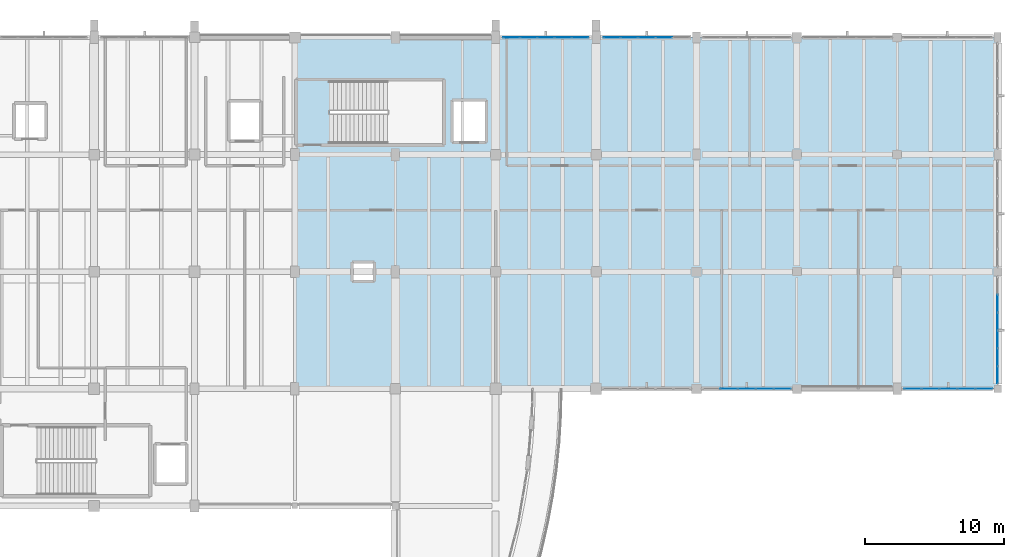
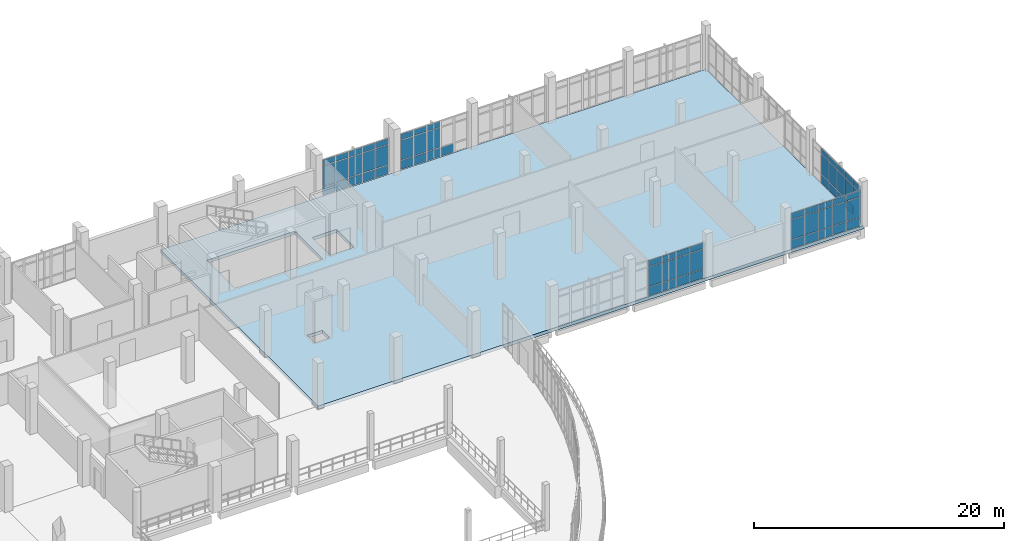
# One storey, part 97 of 116: 67 plates, 1 slab, 5 elements without a shape of their own.
"""IFC4 building model written with IfcOpenShell, lengths in metres."""

import ifcopenshell
import ifcopenshell.guid

model = None  # the IFC model being written
_history = None  # IfcOwnerHistory: only IFC2X3 demands one
_inside = {}  # id of a spatial element -> (the spatial element, [elements in it])
_under = {}  # id of a project, library or spatial element -> (it, [spatial elements below it])
_declared = {}  # id of a project -> (the project, [libraries it declares])
_typed = {}  # id of a type object -> (the type object, [elements of that type])
_made_of = {}  # id of a material, layer set ... -> (it, [elements and type objects made of it])


def new_model(schema):
    """Start an empty IFC model of exactly this schema.

    Asked for "IFC4X3", IfcOpenShell would pick the latest addendum, in which some entities
    have other attributes; the version numbers below select the first issue.
    IFC2X3 requires an IfcOwnerHistory on every rooted entity: one is made here for all.
    """
    global model, _history
    if schema == "IFC4X3":
        model = ifcopenshell.file(schema_version=(4, 3, 0, 0))
    else:
        model = ifcopenshell.file(schema=schema)
    _inside.clear()
    _under.clear()
    _declared.clear()
    _typed.clear()
    _made_of.clear()
    _history = None
    if model.schema == "IFC2X3":
        org = make("IfcOrganization", Name="unknown")
        user = make(
            "IfcPersonAndOrganization",
            ThePerson=make("IfcPerson", FamilyName="unknown"),
            TheOrganization=org,
        )
        app = make(
            "IfcApplication",
            ApplicationDeveloper=org,
            Version="unknown",
            ApplicationFullName="unknown",
            ApplicationIdentifier="unknown",
        )
        _history = make(
            "IfcOwnerHistory",
            OwningUser=user,
            OwningApplication=app,
            ChangeAction="ADDED",
            CreationDate=0,
        )
    return model


def make(cls, **values):
    """One entity of the class cls with the attributes given. An attribute that is None is left unset."""
    return model.create_entity(
        cls, **{name: value for name, value in values.items() if value is not None}
    )


def rooted(cls, **values):
    """An entity with a GlobalId (a new one), such as an element, a storey or a relation."""
    return make(cls, GlobalId=ifcopenshell.guid.new(), OwnerHistory=_history, **values)


def si_unit(unit_type, name, prefix=None):
    """IfcSIUnit, for example si_unit("LENGTHUNIT", "METRE", prefix="MILLI")."""
    return make("IfcSIUnit", UnitType=unit_type, Prefix=prefix, Name=name)


def assignment(units):
    """IfcUnitAssignment: the units of a project."""
    return None if units is None else make("IfcUnitAssignment", Units=units)


def point(xyz):
    """IfcCartesianPoint."""
    return None if xyz is None else make("IfcCartesianPoint", Coordinates=xyz)


def direction(xyz):
    """IfcDirection."""
    return None if xyz is None else make("IfcDirection", DirectionRatios=xyz)


def frame(location, z_axis=None, x_axis=None):
    """IfcAxis2Placement3D, a coordinate frame: its origin and axes. An axis left out is left unset."""
    return make(
        "IfcAxis2Placement3D",
        Location=point(location),
        Axis=direction(z_axis),
        RefDirection=direction(x_axis),
    )


def frame_2d(location, x_axis=None):
    """IfcAxis2Placement2D, a coordinate frame in the plane: its origin and x axis."""
    return make(
        "IfcAxis2Placement2D", Location=point(location), RefDirection=direction(x_axis)
    )


def origin():
    """The frame at (0, 0, 0) with its axes left unset."""
    return frame((0.0, 0.0, 0.0))


def origin_2d():
    """The frame at (0, 0) in the plane with its x axis left unset."""
    return frame_2d((0.0, 0.0))


def place(relative_to, where):
    """IfcLocalPlacement: puts the frame where relative to a parent placement (None: the world)."""
    return make(
        "IfcLocalPlacement", PlacementRelTo=relative_to, RelativePlacement=where
    )


def context(
    kind, dimensions, precision=None, world=None, true_north=None, identifier=None
):
    """IfcGeometricRepresentationContext, for example the 3D "Model" context."""
    return make(
        "IfcGeometricRepresentationContext",
        ContextIdentifier=identifier,
        ContextType=kind,
        CoordinateSpaceDimension=dimensions,
        Precision=precision,
        WorldCoordinateSystem=world,
        TrueNorth=true_north,
    )


def subcontext(parent, identifier, kind, view, scale=None):
    """IfcGeometricRepresentationSubContext, for example "Body" below "Model"."""
    return make(
        "IfcGeometricRepresentationSubContext",
        ContextIdentifier=identifier,
        ContextType=kind,
        ParentContext=parent,
        TargetScale=scale,
        TargetView=view,
    )


def project(units=None, contexts=None):
    """IfcProject with its units and contexts."""
    return rooted(
        "IfcProject",
        Name="project",
        RepresentationContexts=contexts,
        UnitsInContext=assignment(units),
    )


def spatial(cls, under=None, at=None, **own):
    """A site, building, storey or space (cls), placed at a placement, below another one or the project."""
    s = rooted(cls, ObjectPlacement=at, **own)
    if under is not None:
        _under.setdefault(under.id(), (under, []))[1].append(s)
    return s


def polyline(points):
    """IfcPolyline through the points."""
    return make("IfcPolyline", Points=[point(p) for p in points])


def profile(cls, at=None, kind="AREA", **sizes):
    """A parametric profile (cls). Its sizes go by their IFC names, for example OverallWidth=200.0."""
    return make(cls, ProfileType=kind, Position=at, **sizes)


def rectangle(**sizes):
    """IfcRectangleProfileDef."""
    return profile("IfcRectangleProfileDef", **sizes)


def outline(outer, holes=None, kind="AREA"):
    """IfcArbitraryClosedProfileDef: a profile drawn as a closed curve; with holes, ...WithVoids."""
    if holes is None:
        return make("IfcArbitraryClosedProfileDef", ProfileType=kind, OuterCurve=outer)
    return make(
        "IfcArbitraryProfileDefWithVoids",
        ProfileType=kind,
        OuterCurve=outer,
        InnerCurves=holes,
    )


def extrude(swept, where, along, depth):
    """IfcExtrudedAreaSolid: the profile swept, set in the frame where, extruded along a direction by depth."""
    return make(
        "IfcExtrudedAreaSolid",
        SweptArea=swept,
        Position=where,
        ExtrudedDirection=direction(along),
        Depth=depth,
    )


def shape(context_of_items, identifier, shape_type, items):
    """IfcShapeRepresentation: the items that make up one representation, for example the "Body"."""
    return make(
        "IfcShapeRepresentation",
        ContextOfItems=context_of_items,
        RepresentationIdentifier=identifier,
        RepresentationType=shape_type,
        Items=items,
    )


def material(Name=None, Category=None):
    """IfcMaterial."""
    return make("IfcMaterial", Name=Name, Category=Category)


def layer(
    of_material, thickness, ventilated=None, Name=None, Category=None, Priority=None
):
    """IfcMaterialLayer: one layer of a wall or slab, of a material (None: an air gap)."""
    return make(
        "IfcMaterialLayer",
        Material=of_material,
        LayerThickness=thickness,
        IsVentilated=ventilated,
        Name=Name,
        Category=Category,
        Priority=Priority,
    )


def layer_set(layers, Name=None):
    """IfcMaterialLayerSet."""
    return make("IfcMaterialLayerSet", MaterialLayers=layers, LayerSetName=Name)


def made_of(thing, what):
    """Note that an element or type object is made of a material, layer set ...; save() writes the relation."""
    if what is not None:
        _made_of.setdefault(what.id(), (what, []))[1].append(thing)
    return thing


def type_object(cls, material=None, **own):
    """A type object (cls), such as IfcWallType, which elements share."""
    return made_of(rooted(cls, **own), material)


def element(
    cls,
    number,
    at=None,
    inside=None,
    cuts=None,
    type_object=None,
    material=None,
    context=None,
    identifier="Body",
    shape_type=None,
    held_by="IfcProductDefinitionShape",
    body=None,
    shapes=None,
    **own,
):
    """One element of the class cls, such as IfcWall. Its Tag is "e" and its number.

    at: its placement. inside: the storey or other place that contains it. cuts: it is an
    opening in that element (IfcRelVoidsElement). A single representation is given by context,
    identifier, shape_type and body (its items); several are given by shapes. held_by: the class
    of the entity that holds the representations. save() writes the other relations.
    """
    e = rooted(cls, Tag="e%d" % number, ObjectPlacement=at, **own)
    if body is not None:
        shapes = [shape(context, identifier, shape_type, body)]
    if shapes is not None:
        e.Representation = make(held_by, Representations=shapes)
    if inside is not None:
        _inside.setdefault(inside.id(), (inside, []))[1].append(e)
    if cuts is not None:
        rooted(
            "IfcRelVoidsElement", RelatingBuildingElement=cuts, RelatedOpeningElement=e
        )
    if type_object is not None:
        _typed.setdefault(type_object.id(), (type_object, []))[1].append(e)
    return made_of(e, material)


def aggregate(whole, parts):
    """IfcRelAggregates: a whole, such as a stair, and the parts it consists of."""
    return rooted("IfcRelAggregates", RelatingObject=whole, RelatedObjects=parts)


def save(model, path):
    """Write the relations noted so far, then the file.

    IfcRelAggregates (storeys below a building ...), IfcRelContainedInSpatialStructure (elements
    in a storey), IfcRelDefinesByType, IfcRelAssociatesMaterial and IfcRelDeclares: one each for
    every whole, place, type object, material and project.
    """
    for whole, parts in _under.values():
        aggregate(whole, parts)
    for where, things in _inside.values():
        rooted(
            "IfcRelContainedInSpatialStructure",
            RelatedElements=things,
            RelatingStructure=where,
        )
    for kind, things in _typed.values():
        rooted("IfcRelDefinesByType", RelatedObjects=things, RelatingType=kind)
    for what, things in _made_of.values():
        rooted("IfcRelAssociatesMaterial", RelatedObjects=things, RelatingMaterial=what)
    for by, libraries in _declared.values():
        rooted("IfcRelDeclares", RelatingContext=by, RelatedDefinitions=libraries)
    model.write(path)


model = new_model("IFC4")

# Units and contexts
model_context = context("Model", 3, precision=1e-05, world=origin(), true_north=direction((0.0, 1.0)))
body_context = subcontext(model_context, "Body", "Model", "MODEL_VIEW")
ifc_project = project(units=[si_unit("LENGTHUNIT", "METRE"), si_unit("AREAUNIT", "SQUARE_METRE"), si_unit("VOLUMEUNIT", "CUBIC_METRE"), si_unit("PLANEANGLEUNIT", "RADIAN"), si_unit("MASSUNIT", "GRAM", prefix="KILO")], contexts=[model_context])

# Site, building, storey
site_placement = place(None, origin())
site = spatial("IfcSite", under=ifc_project, at=site_placement, CompositionType="ELEMENT")
building_placement = place(site_placement, origin())
building = spatial("IfcBuilding", under=site, at=building_placement, Name="Kalluvel Institute of Natural Sciences", CompositionType="ELEMENT")
storey_placement = place(building_placement, frame((0.0, 0.0, 14.39990234375)))
storey = spatial("IfcBuildingStorey", under=building, at=storey_placement, Name="L03", CompositionType="ELEMENT", Elevation=14.39990234375)

# Curtain wall, plates
ifc_material_1 = material(Name="Aluminium AW-6063 T6", Category="aluminium")
curtain_wall_type = type_object("IfcCurtainWallType", Name="CW-WET-45", PredefinedType="USERDEFINED", material=ifc_material_1)
curtain_wall_1_placement = place(storey_placement, origin())
curtain_wall_1 = element("IfcCurtainWall", 1, at=curtain_wall_1_placement, inside=storey, type_object=curtain_wall_type, Name="L03 Gothic lancet curtain wall CWA-L03-X793-Y1280", ObjectType="UNITISED LANCET FACADE", PredefinedType="USERDEFINED")
ifc_material_2 = material(Name="Solar-Control Low-E Laminated Glass", Category="glass")
ifc_layer_1 = layer(ifc_material_2, 0.028076171875)
ifc_layer_set_1 = layer_set([ifc_layer_1], Name="Solar-Control Low-E Laminated Glass")
plate_type = type_object("IfcPlateType", Name="CWP-DGU-28", PredefinedType="CURTAIN_PANEL", material=ifc_layer_set_1)
plate_1_placement = place(storey_placement, frame((79.93505859375, 128.0, 0.06005859375), z_axis=(0.0, 0.0, 1.0), x_axis=(1.0, 0.0, 0.0)))
plate_1 = element("IfcPlate", 2, at=plate_1_placement, type_object=plate_type, Name="CW-01 panel 1.1", PredefinedType="CURTAIN_PANEL", context=body_context, shape_type="SweptSolid", body=[
    extrude(rectangle(XDim=1.14990234375, YDim=0.028076171875, at=origin_2d()), origin(), (0.0, 0.0, 1.0), 0.860107421875),
])
plate_2_placement = place(storey_placement, frame((79.93505859375, 128.0, 0.980224609375), z_axis=(0.0, 0.0, 1.0), x_axis=(1.0, 0.0, 0.0)))
plate_2 = element("IfcPlate", 3, at=plate_2_placement, type_object=plate_type, Name="CW-01 panel 1.2", PredefinedType="CURTAIN_PANEL", context=body_context, shape_type="SweptSolid", body=[
    extrude(rectangle(XDim=1.14990234375, YDim=0.028076171875, at=origin_2d()), origin(), (0.0, 0.0, 1.0), 1.919921875),
])
plate_3_placement = place(storey_placement, frame((79.93505859375, 128.0, 2.9599609375), z_axis=(0.0, 0.0, 1.0), x_axis=(1.0, 0.0, 0.0)))
plate_3 = element("IfcPlate", 4, at=plate_3_placement, type_object=plate_type, Name="CW-01 panel 1.3", PredefinedType="CURTAIN_PANEL", context=body_context, shape_type="SweptSolid", body=[
    extrude(rectangle(XDim=1.14990234375, YDim=0.028076171875, at=origin_2d()), origin(), (0.0, 0.0, 1.0), 0.56005859375),
])
plate_4_placement = place(storey_placement, frame((81.159912109375, 128.0, 0.06005859375), z_axis=(0.0, 0.0, 1.0), x_axis=(1.0, 0.0, 0.0)))
plate_4 = element("IfcPlate", 5, at=plate_4_placement, type_object=plate_type, Name="CW-01 panel 2.1", PredefinedType="CURTAIN_PANEL", context=body_context, shape_type="SweptSolid", body=[
    extrude(rectangle(XDim=1.179931640625, YDim=0.028076171875, at=origin_2d()), origin(), (0.0, 0.0, 1.0), 0.860107421875),
])
plate_5_placement = place(storey_placement, frame((81.159912109375, 128.0, 0.980224609375), z_axis=(0.0, 0.0, 1.0), x_axis=(1.0, 0.0, 0.0)))
plate_5 = element("IfcPlate", 6, at=plate_5_placement, type_object=plate_type, Name="CW-01 panel 2.2", PredefinedType="CURTAIN_PANEL", context=body_context, shape_type="SweptSolid", body=[
    extrude(rectangle(XDim=1.179931640625, YDim=0.028076171875, at=origin_2d()), origin(), (0.0, 0.0, 1.0), 1.919921875),
])
plate_6_placement = place(storey_placement, frame((81.159912109375, 128.0, 2.9599609375), z_axis=(0.0, 0.0, 1.0), x_axis=(1.0, 0.0, 0.0)))
plate_6 = element("IfcPlate", 7, at=plate_6_placement, type_object=plate_type, Name="CW-01 panel 2.3", PredefinedType="CURTAIN_PANEL", context=body_context, shape_type="SweptSolid", body=[
    extrude(rectangle(XDim=1.179931640625, YDim=0.028076171875, at=origin_2d()), origin(), (0.0, 0.0, 1.0), 0.56005859375),
])
plate_7_placement = place(storey_placement, frame((82.39990234375, 128.0, 0.06005859375), z_axis=(0.0, 0.0, 1.0), x_axis=(1.0, 0.0, 0.0)))
plate_7 = element("IfcPlate", 8, at=plate_7_placement, type_object=plate_type, Name="CW-01 panel 3.1", PredefinedType="CURTAIN_PANEL", context=body_context, shape_type="SweptSolid", body=[
    extrude(rectangle(XDim=1.179931640625, YDim=0.028076171875, at=origin_2d()), origin(), (0.0, 0.0, 1.0), 0.860107421875),
])
plate_8_placement = place(storey_placement, frame((82.39990234375, 128.0, 0.980224609375), z_axis=(0.0, 0.0, 1.0), x_axis=(1.0, 0.0, 0.0)))
plate_8 = element("IfcPlate", 9, at=plate_8_placement, type_object=plate_type, Name="CW-01 panel 3.2", PredefinedType="CURTAIN_PANEL", context=body_context, shape_type="SweptSolid", body=[
    extrude(rectangle(XDim=1.179931640625, YDim=0.028076171875, at=origin_2d()), origin(), (0.0, 0.0, 1.0), 1.919921875),
])
plate_9_placement = place(storey_placement, frame((82.39990234375, 128.0, 2.9599609375), z_axis=(0.0, 0.0, 1.0), x_axis=(1.0, 0.0, 0.0)))
plate_9 = element("IfcPlate", 10, at=plate_9_placement, type_object=plate_type, Name="CW-01 panel 3.3", PredefinedType="CURTAIN_PANEL", context=body_context, shape_type="SweptSolid", body=[
    extrude(rectangle(XDim=1.179931640625, YDim=0.028076171875, at=origin_2d()), origin(), (0.0, 0.0, 1.0), 0.56005859375),
])
plate_10_placement = place(storey_placement, frame((83.639892578125, 128.0, 0.06005859375), z_axis=(0.0, 0.0, 1.0), x_axis=(1.0, 0.0, 0.0)))
plate_10 = element("IfcPlate", 11, at=plate_10_placement, type_object=plate_type, Name="CW-01 panel 4.1", PredefinedType="CURTAIN_PANEL", context=body_context, shape_type="SweptSolid", body=[
    extrude(rectangle(XDim=1.179931640625, YDim=0.028076171875, at=origin_2d()), origin(), (0.0, 0.0, 1.0), 0.860107421875),
])
plate_11_placement = place(storey_placement, frame((83.639892578125, 128.0, 0.980224609375), z_axis=(0.0, 0.0, 1.0), x_axis=(1.0, 0.0, 0.0)))
plate_11 = element("IfcPlate", 12, at=plate_11_placement, type_object=plate_type, Name="CW-01 panel 4.2", PredefinedType="CURTAIN_PANEL", context=body_context, shape_type="SweptSolid", body=[
    extrude(rectangle(XDim=1.179931640625, YDim=0.028076171875, at=origin_2d()), origin(), (0.0, 0.0, 1.0), 1.919921875),
])
plate_12_placement = place(storey_placement, frame((83.639892578125, 128.0, 2.9599609375), z_axis=(0.0, 0.0, 1.0), x_axis=(1.0, 0.0, 0.0)))
plate_12 = element("IfcPlate", 13, at=plate_12_placement, type_object=plate_type, Name="CW-01 panel 4.3", PredefinedType="CURTAIN_PANEL", context=body_context, shape_type="SweptSolid", body=[
    extrude(rectangle(XDim=1.179931640625, YDim=0.028076171875, at=origin_2d()), origin(), (0.0, 0.0, 1.0), 0.56005859375),
])
plate_13_placement = place(storey_placement, frame((84.864990234375, 128.0, 0.06005859375), z_axis=(0.0, 0.0, 1.0), x_axis=(1.0, 0.0, 0.0)))
plate_13 = element("IfcPlate", 14, at=plate_13_placement, type_object=plate_type, Name="CW-01 panel 5.1", PredefinedType="CURTAIN_PANEL", context=body_context, shape_type="SweptSolid", body=[
    extrude(rectangle(XDim=1.14990234375, YDim=0.028076171875, at=origin_2d()), origin(), (0.0, 0.0, 1.0), 0.860107421875),
])
plate_14_placement = place(storey_placement, frame((84.864990234375, 128.0, 0.980224609375), z_axis=(0.0, 0.0, 1.0), x_axis=(1.0, 0.0, 0.0)))
plate_14 = element("IfcPlate", 15, at=plate_14_placement, type_object=plate_type, Name="CW-01 panel 5.2", PredefinedType="CURTAIN_PANEL", context=body_context, shape_type="SweptSolid", body=[
    extrude(rectangle(XDim=1.14990234375, YDim=0.028076171875, at=origin_2d()), origin(), (0.0, 0.0, 1.0), 1.919921875),
])
plate_15_placement = place(storey_placement, frame((84.864990234375, 128.0, 2.9599609375), z_axis=(0.0, 0.0, 1.0), x_axis=(1.0, 0.0, 0.0)))
plate_15 = element("IfcPlate", 16, at=plate_15_placement, type_object=plate_type, Name="CW-01 panel 5.3", PredefinedType="CURTAIN_PANEL", context=body_context, shape_type="SweptSolid", body=[
    extrude(rectangle(XDim=1.14990234375, YDim=0.028076171875, at=origin_2d()), origin(), (0.0, 0.0, 1.0), 0.56005859375),
])
aggregate(curtain_wall_1, [plate_1, plate_2, plate_3, plate_4, plate_5, plate_6, plate_7, plate_8, plate_9, plate_10, plate_11, plate_12, plate_13, plate_14, plate_15])

curtain_wall_2_placement = place(storey_placement, origin())
curtain_wall_2 = element("IfcCurtainWall", 17, at=curtain_wall_2_placement, inside=storey, type_object=curtain_wall_type, Name="L03 Gothic lancet curtain wall CWA-L03-X865-Y1280", ObjectType="UNITISED LANCET FACADE", PredefinedType="USERDEFINED")
plate_16_placement = place(storey_placement, frame((87.139892578125, 128.0, 0.06005859375), z_axis=(0.0, 0.0, 1.0), x_axis=(1.0, 0.0, 0.0)))
plate_16 = element("IfcPlate", 18, at=plate_16_placement, type_object=plate_type, Name="CW-01 panel 1.1", PredefinedType="CURTAIN_PANEL", context=body_context, shape_type="SweptSolid", body=[
    extrude(rectangle(XDim=1.159912109375, YDim=0.028076171875, at=origin_2d()), origin(), (0.0, 0.0, 1.0), 0.860107421875),
])
plate_17_placement = place(storey_placement, frame((87.139892578125, 128.0, 0.980224609375), z_axis=(0.0, 0.0, 1.0), x_axis=(1.0, 0.0, 0.0)))
plate_17 = element("IfcPlate", 19, at=plate_17_placement, type_object=plate_type, Name="CW-01 panel 1.2", PredefinedType="CURTAIN_PANEL", context=body_context, shape_type="SweptSolid", body=[
    extrude(rectangle(XDim=1.159912109375, YDim=0.028076171875, at=origin_2d()), origin(), (0.0, 0.0, 1.0), 1.919921875),
])
plate_18_placement = place(storey_placement, frame((87.139892578125, 128.0, 2.9599609375), z_axis=(0.0, 0.0, 1.0), x_axis=(1.0, 0.0, 0.0)))
plate_18 = element("IfcPlate", 20, at=plate_18_placement, type_object=plate_type, Name="CW-01 panel 1.3", PredefinedType="CURTAIN_PANEL", context=body_context, shape_type="SweptSolid", body=[
    extrude(rectangle(XDim=1.159912109375, YDim=0.028076171875, at=origin_2d()), origin(), (0.0, 0.0, 1.0), 0.56005859375),
])
plate_19_placement = place(storey_placement, frame((88.375, 128.0, 0.06005859375), z_axis=(0.0, 0.0, 1.0), x_axis=(1.0, 0.0, 0.0)))
plate_19 = element("IfcPlate", 21, at=plate_19_placement, type_object=plate_type, Name="CW-01 panel 2.1", PredefinedType="CURTAIN_PANEL", context=body_context, shape_type="SweptSolid", body=[
    extrude(rectangle(XDim=1.18994140625, YDim=0.028076171875, at=origin_2d()), origin(), (0.0, 0.0, 1.0), 0.860107421875),
])
plate_20_placement = place(storey_placement, frame((88.375, 128.0, 0.980224609375), z_axis=(0.0, 0.0, 1.0), x_axis=(1.0, 0.0, 0.0)))
plate_20 = element("IfcPlate", 22, at=plate_20_placement, type_object=plate_type, Name="CW-01 panel 2.2", PredefinedType="CURTAIN_PANEL", context=body_context, shape_type="SweptSolid", body=[
    extrude(rectangle(XDim=1.18994140625, YDim=0.028076171875, at=origin_2d()), origin(), (0.0, 0.0, 1.0), 1.919921875),
])
plate_21_placement = place(storey_placement, frame((88.375, 128.0, 2.9599609375), z_axis=(0.0, 0.0, 1.0), x_axis=(1.0, 0.0, 0.0)))
plate_21 = element("IfcPlate", 23, at=plate_21_placement, type_object=plate_type, Name="CW-01 panel 2.3", PredefinedType="CURTAIN_PANEL", context=body_context, shape_type="SweptSolid", body=[
    extrude(rectangle(XDim=1.18994140625, YDim=0.028076171875, at=origin_2d()), origin(), (0.0, 0.0, 1.0), 0.56005859375),
])
plate_22_placement = place(storey_placement, frame((89.625, 128.0, 0.06005859375), z_axis=(0.0, 0.0, 1.0), x_axis=(1.0, 0.0, 0.0)))
plate_22 = element("IfcPlate", 24, at=plate_22_placement, type_object=plate_type, Name="CW-01 panel 3.1", PredefinedType="CURTAIN_PANEL", context=body_context, shape_type="SweptSolid", body=[
    extrude(rectangle(XDim=1.18994140625, YDim=0.028076171875, at=origin_2d()), origin(), (0.0, 0.0, 1.0), 0.860107421875),
])
plate_23_placement = place(storey_placement, frame((89.625, 128.0, 0.980224609375), z_axis=(0.0, 0.0, 1.0), x_axis=(1.0, 0.0, 0.0)))
plate_23 = element("IfcPlate", 25, at=plate_23_placement, type_object=plate_type, Name="CW-01 panel 3.2", PredefinedType="CURTAIN_PANEL", context=body_context, shape_type="SweptSolid", body=[
    extrude(rectangle(XDim=1.18994140625, YDim=0.028076171875, at=origin_2d()), origin(), (0.0, 0.0, 1.0), 1.919921875),
])
plate_24_placement = place(storey_placement, frame((89.625, 128.0, 2.9599609375), z_axis=(0.0, 0.0, 1.0), x_axis=(1.0, 0.0, 0.0)))
plate_24 = element("IfcPlate", 26, at=plate_24_placement, type_object=plate_type, Name="CW-01 panel 3.3", PredefinedType="CURTAIN_PANEL", context=body_context, shape_type="SweptSolid", body=[
    extrude(rectangle(XDim=1.18994140625, YDim=0.028076171875, at=origin_2d()), origin(), (0.0, 0.0, 1.0), 0.56005859375),
])
plate_25_placement = place(storey_placement, frame((90.875, 128.0, 0.06005859375), z_axis=(0.0, 0.0, 1.0), x_axis=(1.0, 0.0, 0.0)))
plate_25 = element("IfcPlate", 27, at=plate_25_placement, type_object=plate_type, Name="CW-01 panel 4.1", PredefinedType="CURTAIN_PANEL", context=body_context, shape_type="SweptSolid", body=[
    extrude(rectangle(XDim=1.18994140625, YDim=0.028076171875, at=origin_2d()), origin(), (0.0, 0.0, 1.0), 0.860107421875),
])
aggregate(curtain_wall_2, [plate_16, plate_17, plate_18, plate_19, plate_20, plate_21, plate_22, plate_23, plate_24, plate_25])

curtain_wall_3_placement = place(storey_placement, origin())
curtain_wall_3 = element("IfcCurtainWall", 28, at=curtain_wall_3_placement, inside=storey, type_object=curtain_wall_type, Name="L03 Gothic lancet curtain wall CWA-L03-X936-Y1028", ObjectType="UNITISED LANCET FACADE", PredefinedType="USERDEFINED")
plate_26_placement = place(storey_placement, frame((95.527587890625, 102.800048828125, 0.06005859375), z_axis=(0.0, 0.0, 1.0), x_axis=(1.0, 0.0, 0.0)))
plate_26 = element("IfcPlate", 29, at=plate_26_placement, type_object=plate_type, Name="CW-01 panel 2.1", PredefinedType="CURTAIN_PANEL", context=body_context, shape_type="SweptSolid", body=[
    extrude(rectangle(XDim=1.22509765625, YDim=0.028076171875, at=origin_2d()), origin(), (0.0, 0.0, 1.0), 0.860107421875),
])
plate_27_placement = place(storey_placement, frame((95.527587890625, 102.800048828125, 0.980224609375), z_axis=(0.0, 0.0, 1.0), x_axis=(1.0, 0.0, 0.0)))
plate_27 = element("IfcPlate", 30, at=plate_27_placement, type_object=plate_type, Name="CW-01 panel 2.2", PredefinedType="CURTAIN_PANEL", context=body_context, shape_type="SweptSolid", body=[
    extrude(rectangle(XDim=1.22509765625, YDim=0.028076171875, at=origin_2d()), origin(), (0.0, 0.0, 1.0), 1.919921875),
])
plate_28_placement = place(storey_placement, frame((95.527587890625, 102.800048828125, 2.9599609375), z_axis=(0.0, 0.0, 1.0), x_axis=(1.0, 0.0, 0.0)))
plate_28 = element("IfcPlate", 31, at=plate_28_placement, type_object=plate_type, Name="CW-01 panel 2.3", PredefinedType="CURTAIN_PANEL", context=body_context, shape_type="SweptSolid", body=[
    extrude(rectangle(XDim=1.22509765625, YDim=0.028076171875, at=origin_2d()), origin(), (0.0, 0.0, 1.0), 0.56005859375),
])
plate_29_placement = place(storey_placement, frame((96.8125, 102.800048828125, 0.06005859375), z_axis=(0.0, 0.0, 1.0), x_axis=(1.0, 0.0, 0.0)))
plate_29 = element("IfcPlate", 32, at=plate_29_placement, type_object=plate_type, Name="CW-01 panel 3.1", PredefinedType="CURTAIN_PANEL", context=body_context, shape_type="SweptSolid", body=[
    extrude(rectangle(XDim=1.22509765625, YDim=0.028076171875, at=origin_2d()), origin(), (0.0, 0.0, 1.0), 0.860107421875),
])
plate_30_placement = place(storey_placement, frame((96.8125, 102.800048828125, 0.980224609375), z_axis=(0.0, 0.0, 1.0), x_axis=(1.0, 0.0, 0.0)))
plate_30 = element("IfcPlate", 33, at=plate_30_placement, type_object=plate_type, Name="CW-01 panel 3.2", PredefinedType="CURTAIN_PANEL", context=body_context, shape_type="SweptSolid", body=[
    extrude(rectangle(XDim=1.22509765625, YDim=0.028076171875, at=origin_2d()), origin(), (0.0, 0.0, 1.0), 1.919921875),
])
plate_31_placement = place(storey_placement, frame((96.8125, 102.800048828125, 2.9599609375), z_axis=(0.0, 0.0, 1.0), x_axis=(1.0, 0.0, 0.0)))
plate_31 = element("IfcPlate", 34, at=plate_31_placement, type_object=plate_type, Name="CW-01 panel 3.3", PredefinedType="CURTAIN_PANEL", context=body_context, shape_type="SweptSolid", body=[
    extrude(rectangle(XDim=1.22509765625, YDim=0.028076171875, at=origin_2d()), origin(), (0.0, 0.0, 1.0), 0.56005859375),
])
plate_32_placement = place(storey_placement, frame((98.097412109375, 102.800048828125, 0.06005859375), z_axis=(0.0, 0.0, 1.0), x_axis=(1.0, 0.0, 0.0)))
plate_32 = element("IfcPlate", 35, at=plate_32_placement, type_object=plate_type, Name="CW-01 panel 4.1", PredefinedType="CURTAIN_PANEL", context=body_context, shape_type="SweptSolid", body=[
    extrude(rectangle(XDim=1.22509765625, YDim=0.028076171875, at=origin_2d()), origin(), (0.0, 0.0, 1.0), 0.860107421875),
])
plate_33_placement = place(storey_placement, frame((98.097412109375, 102.800048828125, 0.980224609375), z_axis=(0.0, 0.0, 1.0), x_axis=(1.0, 0.0, 0.0)))
plate_33 = element("IfcPlate", 36, at=plate_33_placement, type_object=plate_type, Name="CW-01 panel 4.2", PredefinedType="CURTAIN_PANEL", context=body_context, shape_type="SweptSolid", body=[
    extrude(rectangle(XDim=1.22509765625, YDim=0.028076171875, at=origin_2d()), origin(), (0.0, 0.0, 1.0), 1.919921875),
])
plate_34_placement = place(storey_placement, frame((98.097412109375, 102.800048828125, 2.9599609375), z_axis=(0.0, 0.0, 1.0), x_axis=(1.0, 0.0, 0.0)))
plate_34 = element("IfcPlate", 37, at=plate_34_placement, type_object=plate_type, Name="CW-01 panel 4.3", PredefinedType="CURTAIN_PANEL", context=body_context, shape_type="SweptSolid", body=[
    extrude(rectangle(XDim=1.22509765625, YDim=0.028076171875, at=origin_2d()), origin(), (0.0, 0.0, 1.0), 0.56005859375),
])
plate_35_placement = place(storey_placement, frame((99.367431640625, 102.800048828125, 0.06005859375), z_axis=(0.0, 0.0, 1.0), x_axis=(1.0, 0.0, 0.0)))
plate_35 = element("IfcPlate", 38, at=plate_35_placement, type_object=plate_type, Name="CW-01 panel 5.1", PredefinedType="CURTAIN_PANEL", context=body_context, shape_type="SweptSolid", body=[
    extrude(rectangle(XDim=1.195068359375, YDim=0.028076171875, at=origin_2d()), origin(), (0.0, 0.0, 1.0), 0.860107421875),
])
plate_36_placement = place(storey_placement, frame((99.367431640625, 102.800048828125, 0.980224609375), z_axis=(0.0, 0.0, 1.0), x_axis=(1.0, 0.0, 0.0)))
plate_36 = element("IfcPlate", 39, at=plate_36_placement, type_object=plate_type, Name="CW-01 panel 5.2", PredefinedType="CURTAIN_PANEL", context=body_context, shape_type="SweptSolid", body=[
    extrude(rectangle(XDim=1.195068359375, YDim=0.028076171875, at=origin_2d()), origin(), (0.0, 0.0, 1.0), 1.919921875),
])
plate_37_placement = place(storey_placement, frame((99.367431640625, 102.800048828125, 2.9599609375), z_axis=(0.0, 0.0, 1.0), x_axis=(1.0, 0.0, 0.0)))
plate_37 = element("IfcPlate", 40, at=plate_37_placement, type_object=plate_type, Name="CW-01 panel 5.3", PredefinedType="CURTAIN_PANEL", context=body_context, shape_type="SweptSolid", body=[
    extrude(rectangle(XDim=1.195068359375, YDim=0.028076171875, at=origin_2d()), origin(), (0.0, 0.0, 1.0), 0.56005859375),
])
aggregate(curtain_wall_3, [plate_26, plate_27, plate_28, plate_29, plate_30, plate_31, plate_32, plate_33, plate_34, plate_35, plate_36, plate_37])

curtain_wall_4_placement = place(storey_placement, origin())
curtain_wall_4 = element("IfcCurtainWall", 41, at=curtain_wall_4_placement, inside=storey, type_object=curtain_wall_type, Name="L03 Gothic lancet curtain wall CWA-L03-X1080-Y1028", ObjectType="UNITISED LANCET FACADE", PredefinedType="USERDEFINED")
plate_38_placement = place(storey_placement, frame((108.70751953125, 102.800048828125, 0.06005859375), z_axis=(0.0, 0.0, 1.0), x_axis=(1.0, 0.0, 0.0)))
plate_38 = element("IfcPlate", 42, at=plate_38_placement, type_object=plate_type, Name="CW-01 panel 1.1", PredefinedType="CURTAIN_PANEL", context=body_context, shape_type="SweptSolid", body=[
    extrude(rectangle(XDim=1.195068359375, YDim=0.028076171875, at=origin_2d()), origin(), (0.0, 0.0, 1.0), 0.860107421875),
])
plate_39_placement = place(storey_placement, frame((108.70751953125, 102.800048828125, 0.980224609375), z_axis=(0.0, 0.0, 1.0), x_axis=(1.0, 0.0, 0.0)))
plate_39 = element("IfcPlate", 43, at=plate_39_placement, type_object=plate_type, Name="CW-01 panel 1.2", PredefinedType="CURTAIN_PANEL", context=body_context, shape_type="SweptSolid", body=[
    extrude(rectangle(XDim=1.195068359375, YDim=0.028076171875, at=origin_2d()), origin(), (0.0, 0.0, 1.0), 1.919921875),
])
plate_40_placement = place(storey_placement, frame((108.70751953125, 102.800048828125, 2.9599609375), z_axis=(0.0, 0.0, 1.0), x_axis=(1.0, 0.0, 0.0)))
plate_40 = element("IfcPlate", 44, at=plate_40_placement, type_object=plate_type, Name="CW-01 panel 1.3", PredefinedType="CURTAIN_PANEL", context=body_context, shape_type="SweptSolid", body=[
    extrude(rectangle(XDim=1.195068359375, YDim=0.028076171875, at=origin_2d()), origin(), (0.0, 0.0, 1.0), 0.56005859375),
])
plate_41_placement = place(storey_placement, frame((109.9775390625, 102.800048828125, 0.06005859375), z_axis=(0.0, 0.0, 1.0), x_axis=(1.0, 0.0, 0.0)))
plate_41 = element("IfcPlate", 45, at=plate_41_placement, type_object=plate_type, Name="CW-01 panel 2.1", PredefinedType="CURTAIN_PANEL", context=body_context, shape_type="SweptSolid", body=[
    extrude(rectangle(XDim=1.22509765625, YDim=0.028076171875, at=origin_2d()), origin(), (0.0, 0.0, 1.0), 0.860107421875),
])
plate_42_placement = place(storey_placement, frame((109.9775390625, 102.800048828125, 0.980224609375), z_axis=(0.0, 0.0, 1.0), x_axis=(1.0, 0.0, 0.0)))
plate_42 = element("IfcPlate", 46, at=plate_42_placement, type_object=plate_type, Name="CW-01 panel 2.2", PredefinedType="CURTAIN_PANEL", context=body_context, shape_type="SweptSolid", body=[
    extrude(rectangle(XDim=1.22509765625, YDim=0.028076171875, at=origin_2d()), origin(), (0.0, 0.0, 1.0), 1.919921875),
])
plate_43_placement = place(storey_placement, frame((109.9775390625, 102.800048828125, 2.9599609375), z_axis=(0.0, 0.0, 1.0), x_axis=(1.0, 0.0, 0.0)))
plate_43 = element("IfcPlate", 47, at=plate_43_placement, type_object=plate_type, Name="CW-01 panel 2.3", PredefinedType="CURTAIN_PANEL", context=body_context, shape_type="SweptSolid", body=[
    extrude(rectangle(XDim=1.22509765625, YDim=0.028076171875, at=origin_2d()), origin(), (0.0, 0.0, 1.0), 0.56005859375),
])
plate_44_placement = place(storey_placement, frame((111.262451171875, 102.800048828125, 0.06005859375), z_axis=(0.0, 0.0, 1.0), x_axis=(1.0, 0.0, 0.0)))
plate_44 = element("IfcPlate", 48, at=plate_44_placement, type_object=plate_type, Name="CW-01 panel 3.1", PredefinedType="CURTAIN_PANEL", context=body_context, shape_type="SweptSolid", body=[
    extrude(rectangle(XDim=1.22509765625, YDim=0.028076171875, at=origin_2d()), origin(), (0.0, 0.0, 1.0), 0.860107421875),
])
plate_45_placement = place(storey_placement, frame((111.262451171875, 102.800048828125, 0.980224609375), z_axis=(0.0, 0.0, 1.0), x_axis=(1.0, 0.0, 0.0)))
plate_45 = element("IfcPlate", 49, at=plate_45_placement, type_object=plate_type, Name="CW-01 panel 3.2", PredefinedType="CURTAIN_PANEL", context=body_context, shape_type="SweptSolid", body=[
    extrude(rectangle(XDim=1.22509765625, YDim=0.028076171875, at=origin_2d()), origin(), (0.0, 0.0, 1.0), 1.919921875),
])
plate_46_placement = place(storey_placement, frame((111.262451171875, 102.800048828125, 2.9599609375), z_axis=(0.0, 0.0, 1.0), x_axis=(1.0, 0.0, 0.0)))
plate_46 = element("IfcPlate", 50, at=plate_46_placement, type_object=plate_type, Name="CW-01 panel 3.3", PredefinedType="CURTAIN_PANEL", context=body_context, shape_type="SweptSolid", body=[
    extrude(rectangle(XDim=1.22509765625, YDim=0.028076171875, at=origin_2d()), origin(), (0.0, 0.0, 1.0), 0.56005859375),
])
plate_47_placement = place(storey_placement, frame((112.547607421875, 102.800048828125, 0.06005859375), z_axis=(0.0, 0.0, 1.0), x_axis=(1.0, 0.0, 0.0)))
plate_47 = element("IfcPlate", 51, at=plate_47_placement, type_object=plate_type, Name="CW-01 panel 4.1", PredefinedType="CURTAIN_PANEL", context=body_context, shape_type="SweptSolid", body=[
    extrude(rectangle(XDim=1.22509765625, YDim=0.028076171875, at=origin_2d()), origin(), (0.0, 0.0, 1.0), 0.860107421875),
])
plate_48_placement = place(storey_placement, frame((112.547607421875, 102.800048828125, 0.980224609375), z_axis=(0.0, 0.0, 1.0), x_axis=(1.0, 0.0, 0.0)))
plate_48 = element("IfcPlate", 52, at=plate_48_placement, type_object=plate_type, Name="CW-01 panel 4.2", PredefinedType="CURTAIN_PANEL", context=body_context, shape_type="SweptSolid", body=[
    extrude(rectangle(XDim=1.22509765625, YDim=0.028076171875, at=origin_2d()), origin(), (0.0, 0.0, 1.0), 1.919921875),
])
plate_49_placement = place(storey_placement, frame((112.547607421875, 102.800048828125, 2.9599609375), z_axis=(0.0, 0.0, 1.0), x_axis=(1.0, 0.0, 0.0)))
plate_49 = element("IfcPlate", 53, at=plate_49_placement, type_object=plate_type, Name="CW-01 panel 4.3", PredefinedType="CURTAIN_PANEL", context=body_context, shape_type="SweptSolid", body=[
    extrude(rectangle(XDim=1.22509765625, YDim=0.028076171875, at=origin_2d()), origin(), (0.0, 0.0, 1.0), 0.56005859375),
])
plate_50_placement = place(storey_placement, frame((113.8173828125, 102.800048828125, 0.06005859375), z_axis=(0.0, 0.0, 1.0), x_axis=(1.0, 0.0, 0.0)))
plate_50 = element("IfcPlate", 54, at=plate_50_placement, type_object=plate_type, Name="CW-01 panel 5.1", PredefinedType="CURTAIN_PANEL", context=body_context, shape_type="SweptSolid", body=[
    extrude(rectangle(XDim=1.195068359375, YDim=0.028076171875, at=origin_2d()), origin(), (0.0, 0.0, 1.0), 0.860107421875),
])
plate_51_placement = place(storey_placement, frame((113.8173828125, 102.800048828125, 0.980224609375), z_axis=(0.0, 0.0, 1.0), x_axis=(1.0, 0.0, 0.0)))
plate_51 = element("IfcPlate", 55, at=plate_51_placement, type_object=plate_type, Name="CW-01 panel 5.2", PredefinedType="CURTAIN_PANEL", context=body_context, shape_type="SweptSolid", body=[
    extrude(rectangle(XDim=1.195068359375, YDim=0.028076171875, at=origin_2d()), origin(), (0.0, 0.0, 1.0), 1.919921875),
])
plate_52_placement = place(storey_placement, frame((113.8173828125, 102.800048828125, 2.9599609375), z_axis=(0.0, 0.0, 1.0), x_axis=(1.0, 0.0, 0.0)))
plate_52 = element("IfcPlate", 56, at=plate_52_placement, type_object=plate_type, Name="CW-01 panel 5.3", PredefinedType="CURTAIN_PANEL", context=body_context, shape_type="SweptSolid", body=[
    extrude(rectangle(XDim=1.195068359375, YDim=0.028076171875, at=origin_2d()), origin(), (0.0, 0.0, 1.0), 0.56005859375),
])
aggregate(curtain_wall_4, [plate_38, plate_39, plate_40, plate_41, plate_42, plate_43, plate_44, plate_45, plate_46, plate_47, plate_48, plate_49, plate_50, plate_51, plate_52])

curtain_wall_5_placement = place(storey_placement, origin())
curtain_wall_5 = element("IfcCurtainWall", 57, at=curtain_wall_5_placement, inside=storey, type_object=curtain_wall_type, Name="L03 Gothic lancet curtain wall CWA-L03-X1148-Y1031", ObjectType="UNITISED LANCET FACADE", PredefinedType="USERDEFINED")
plate_53_placement = place(storey_placement, frame((114.800048828125, 103.78369140625, 0.06005859375), z_axis=(0.0, 0.0, 1.0), x_axis=(0.0, 1.0, 0.0)))
plate_53 = element("IfcPlate", 58, at=plate_53_placement, type_object=plate_type, Name="CW-01 panel 1.1", PredefinedType="CURTAIN_PANEL", context=body_context, shape_type="SweptSolid", body=[
    extrude(rectangle(XDim=1.197509765625, YDim=0.028076171875, at=origin_2d()), origin(), (0.0, 0.0, 1.0), 0.860107421875),
])
plate_54_placement = place(storey_placement, frame((114.800048828125, 103.78369140625, 0.980224609375), z_axis=(0.0, 0.0, 1.0), x_axis=(0.0, 1.0, 0.0)))
plate_54 = element("IfcPlate", 59, at=plate_54_placement, type_object=plate_type, Name="CW-01 panel 1.2", PredefinedType="CURTAIN_PANEL", context=body_context, shape_type="SweptSolid", body=[
    extrude(rectangle(XDim=1.197509765625, YDim=0.028076171875, at=origin_2d()), origin(), (0.0, 0.0, 1.0), 1.919921875),
])
plate_55_placement = place(storey_placement, frame((114.800048828125, 103.78369140625, 2.9599609375), z_axis=(0.0, 0.0, 1.0), x_axis=(0.0, 1.0, 0.0)))
plate_55 = element("IfcPlate", 60, at=plate_55_placement, type_object=plate_type, Name="CW-01 panel 1.3", PredefinedType="CURTAIN_PANEL", context=body_context, shape_type="SweptSolid", body=[
    extrude(rectangle(XDim=1.197509765625, YDim=0.028076171875, at=origin_2d()), origin(), (0.0, 0.0, 1.0), 0.56005859375),
])
plate_56_placement = place(storey_placement, frame((114.800048828125, 105.05615234375, 0.06005859375), z_axis=(0.0, 0.0, 1.0), x_axis=(0.0, 1.0, 0.0)))
plate_56 = element("IfcPlate", 61, at=plate_56_placement, type_object=plate_type, Name="CW-01 panel 2.1", PredefinedType="CURTAIN_PANEL", context=body_context, shape_type="SweptSolid", body=[
    extrude(rectangle(XDim=1.2275390625, YDim=0.028076171875, at=origin_2d()), origin(), (0.0, 0.0, 1.0), 0.860107421875),
])
plate_57_placement = place(storey_placement, frame((114.800048828125, 105.05615234375, 0.980224609375), z_axis=(0.0, 0.0, 1.0), x_axis=(0.0, 1.0, 0.0)))
plate_57 = element("IfcPlate", 62, at=plate_57_placement, type_object=plate_type, Name="CW-01 panel 2.2", PredefinedType="CURTAIN_PANEL", context=body_context, shape_type="SweptSolid", body=[
    extrude(rectangle(XDim=1.2275390625, YDim=0.028076171875, at=origin_2d()), origin(), (0.0, 0.0, 1.0), 1.919921875),
])
plate_58_placement = place(storey_placement, frame((114.800048828125, 105.05615234375, 2.9599609375), z_axis=(0.0, 0.0, 1.0), x_axis=(0.0, 1.0, 0.0)))
plate_58 = element("IfcPlate", 63, at=plate_58_placement, type_object=plate_type, Name="CW-01 panel 2.3", PredefinedType="CURTAIN_PANEL", context=body_context, shape_type="SweptSolid", body=[
    extrude(rectangle(XDim=1.2275390625, YDim=0.028076171875, at=origin_2d()), origin(), (0.0, 0.0, 1.0), 0.56005859375),
])
plate_59_placement = place(storey_placement, frame((114.800048828125, 106.34375, 0.06005859375), z_axis=(0.0, 0.0, 1.0), x_axis=(0.0, 1.0, 0.0)))
plate_59 = element("IfcPlate", 64, at=plate_59_placement, type_object=plate_type, Name="CW-01 panel 3.1", PredefinedType="CURTAIN_PANEL", context=body_context, shape_type="SweptSolid", body=[
    extrude(rectangle(XDim=1.2275390625, YDim=0.028076171875, at=origin_2d()), origin(), (0.0, 0.0, 1.0), 0.860107421875),
])
plate_60_placement = place(storey_placement, frame((114.800048828125, 106.34375, 0.980224609375), z_axis=(0.0, 0.0, 1.0), x_axis=(0.0, 1.0, 0.0)))
plate_60 = element("IfcPlate", 65, at=plate_60_placement, type_object=plate_type, Name="CW-01 panel 3.2", PredefinedType="CURTAIN_PANEL", context=body_context, shape_type="SweptSolid", body=[
    extrude(rectangle(XDim=1.2275390625, YDim=0.028076171875, at=origin_2d()), origin(), (0.0, 0.0, 1.0), 1.919921875),
])
plate_61_placement = place(storey_placement, frame((114.800048828125, 106.34375, 2.9599609375), z_axis=(0.0, 0.0, 1.0), x_axis=(0.0, 1.0, 0.0)))
plate_61 = element("IfcPlate", 66, at=plate_61_placement, type_object=plate_type, Name="CW-01 panel 3.3", PredefinedType="CURTAIN_PANEL", context=body_context, shape_type="SweptSolid", body=[
    extrude(rectangle(XDim=1.2275390625, YDim=0.028076171875, at=origin_2d()), origin(), (0.0, 0.0, 1.0), 0.56005859375),
])
plate_62_placement = place(storey_placement, frame((114.800048828125, 107.63134765625, 0.06005859375), z_axis=(0.0, 0.0, 1.0), x_axis=(0.0, 1.0, 0.0)))
plate_62 = element("IfcPlate", 67, at=plate_62_placement, type_object=plate_type, Name="CW-01 panel 4.1", PredefinedType="CURTAIN_PANEL", context=body_context, shape_type="SweptSolid", body=[
    extrude(rectangle(XDim=1.2275390625, YDim=0.028076171875, at=origin_2d()), origin(), (0.0, 0.0, 1.0), 0.860107421875),
])
plate_63_placement = place(storey_placement, frame((114.800048828125, 107.63134765625, 0.980224609375), z_axis=(0.0, 0.0, 1.0), x_axis=(0.0, 1.0, 0.0)))
plate_63 = element("IfcPlate", 68, at=plate_63_placement, type_object=plate_type, Name="CW-01 panel 4.2", PredefinedType="CURTAIN_PANEL", context=body_context, shape_type="SweptSolid", body=[
    extrude(rectangle(XDim=1.2275390625, YDim=0.028076171875, at=origin_2d()), origin(), (0.0, 0.0, 1.0), 1.919921875),
])
plate_64_placement = place(storey_placement, frame((114.800048828125, 107.63134765625, 2.9599609375), z_axis=(0.0, 0.0, 1.0), x_axis=(0.0, 1.0, 0.0)))
plate_64 = element("IfcPlate", 69, at=plate_64_placement, type_object=plate_type, Name="CW-01 panel 4.3", PredefinedType="CURTAIN_PANEL", context=body_context, shape_type="SweptSolid", body=[
    extrude(rectangle(XDim=1.2275390625, YDim=0.028076171875, at=origin_2d()), origin(), (0.0, 0.0, 1.0), 0.56005859375),
])
plate_65_placement = place(storey_placement, frame((114.800048828125, 108.918701171875, 0.06005859375), z_axis=(0.0, 0.0, 1.0), x_axis=(0.0, 1.0, 0.0)))
plate_65 = element("IfcPlate", 70, at=plate_65_placement, type_object=plate_type, Name="CW-01 panel 5.1", PredefinedType="CURTAIN_PANEL", context=body_context, shape_type="SweptSolid", body=[
    extrude(rectangle(XDim=1.2275390625, YDim=0.028076171875, at=origin_2d()), origin(), (0.0, 0.0, 1.0), 0.860107421875),
])
plate_66_placement = place(storey_placement, frame((114.800048828125, 108.918701171875, 0.980224609375), z_axis=(0.0, 0.0, 1.0), x_axis=(0.0, 1.0, 0.0)))
plate_66 = element("IfcPlate", 71, at=plate_66_placement, type_object=plate_type, Name="CW-01 panel 5.2", PredefinedType="CURTAIN_PANEL", context=body_context, shape_type="SweptSolid", body=[
    extrude(rectangle(XDim=1.2275390625, YDim=0.028076171875, at=origin_2d()), origin(), (0.0, 0.0, 1.0), 1.919921875),
])
plate_67_placement = place(storey_placement, frame((114.800048828125, 108.918701171875, 2.9599609375), z_axis=(0.0, 0.0, 1.0), x_axis=(0.0, 1.0, 0.0)))
plate_67 = element("IfcPlate", 72, at=plate_67_placement, type_object=plate_type, Name="CW-01 panel 5.3", PredefinedType="CURTAIN_PANEL", context=body_context, shape_type="SweptSolid", body=[
    extrude(rectangle(XDim=1.2275390625, YDim=0.028076171875, at=origin_2d()), origin(), (0.0, 0.0, 1.0), 0.56005859375),
])
aggregate(curtain_wall_5, [plate_53, plate_54, plate_55, plate_56, plate_57, plate_58, plate_59, plate_60, plate_61, plate_62, plate_63, plate_64, plate_65, plate_66, plate_67])

# Slab
ifc_material_3 = material(Name="Concrete M40", Category="concrete")
ifc_layer_2 = layer(ifc_material_3, 0.320068359375)
ifc_layer_set_2 = layer_set([ifc_layer_2], Name="Concrete M40")
slab_type = type_object("IfcSlabType", Name="SLB-WET-320", PredefinedType="FLOOR", material=ifc_layer_set_2)
slab_placement = place(storey_placement, frame((0.0, 0.0, -0.31982421875)))
element("IfcSlab", 73, at=slab_placement, inside=storey, type_object=slab_type, Name="L03 Wet Laboratory Waffle Floor Slab E", PredefinedType="FLOOR", context=body_context, shape_type="SweptSolid", body=[
    extrude(outline(polyline([(64.39990234375, 102.800048828125), (114.800048828125, 102.800048828125), (114.800048828125, 128.0), (64.39990234375, 128.0), (64.39990234375, 102.800048828125)]), holes=[polyline([(78.02001953125, 123.419921875), (78.02001953125, 120.580078125), (75.780029296875, 120.580078125), (75.780029296875, 123.419921875), (78.02001953125, 123.419921875)]), polyline([(75.0, 124.8701171875), (75.0, 120.39990234375), (66.867919921875, 120.39990234375), (66.867919921875, 124.8701171875), (75.0, 124.8701171875)]), polyline([(68.60009765625, 111.800048828125), (70.0, 111.800048828125), (70.0, 110.60009765625), (68.60009765625, 110.60009765625), (68.60009765625, 111.800048828125)])]), origin(), (0.0, 0.0, 1.0), 0.31982421875),
])

save(model, "model.ifc")
